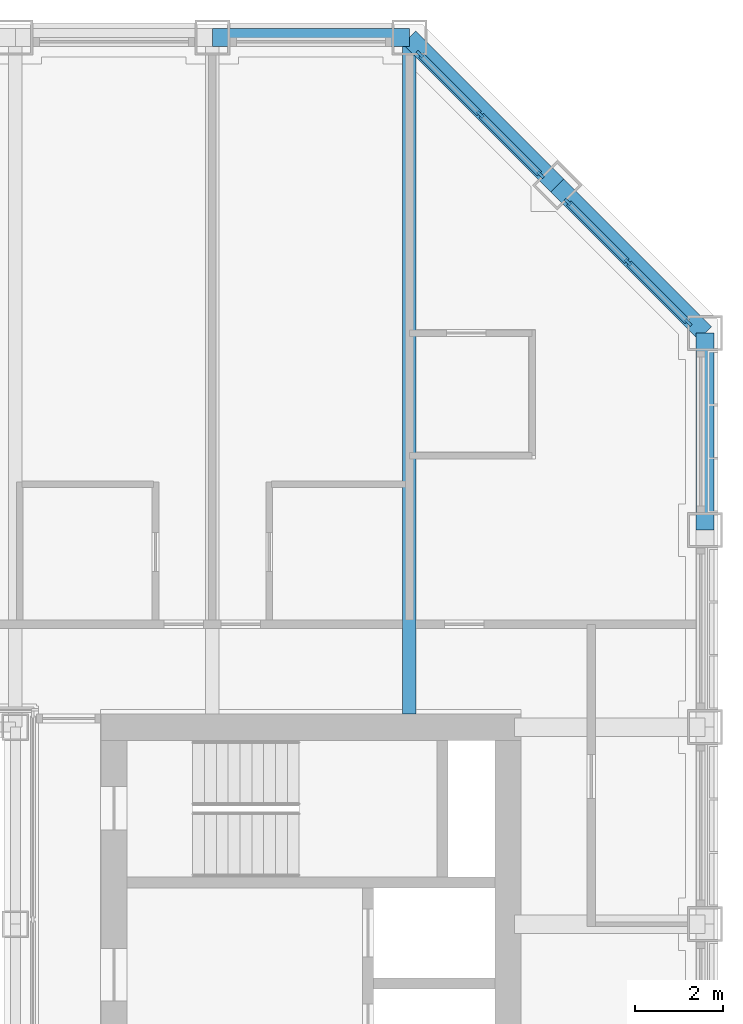
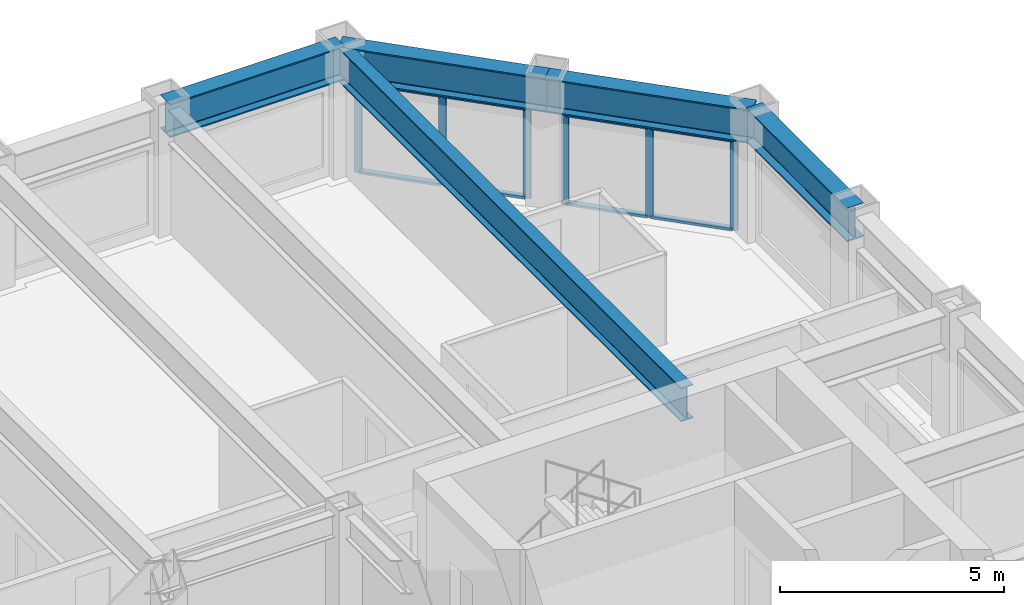
# One storey, part 8 of 17: 14 members, 5 beams, 2 elements without a shape of their own.
"""IFC4 building model written with IfcOpenShell, lengths in metres."""

from ifc_helpers import new_model, si_unit, direction, frame, origin, origin_2d, place, context, subcontext, project, spatial, rectangle, i_section, extrude, material, material_profile, profile_set, type_object, element, aggregate, save


model = new_model("IFC4")

# Units and contexts
model_context = context("Model", 3, precision=1e-05, world=origin(), true_north=direction((0.0, 1.0)))
body_context = subcontext(model_context, "Body", "Model", "MODEL_VIEW")
ifc_project = project(units=[si_unit("LENGTHUNIT", "METRE"), si_unit("AREAUNIT", "SQUARE_METRE"), si_unit("VOLUMEUNIT", "CUBIC_METRE"), si_unit("PLANEANGLEUNIT", "RADIAN"), si_unit("MASSUNIT", "GRAM", prefix="KILO")], contexts=[model_context])

# Site, building, storey
site_placement = place(None, origin())
site = spatial("IfcSite", under=ifc_project, at=site_placement, CompositionType="ELEMENT")
building_placement = place(site_placement, origin())
building = spatial("IfcBuilding", under=site, at=building_placement, Name="Msasa Ring Tower", CompositionType="ELEMENT")
storey_placement = place(building_placement, frame((0.0, 0.0, 154.39990234375)))
storey = spatial("IfcBuildingStorey", under=building, at=storey_placement, Name="L40", CompositionType="ELEMENT", Elevation=154.39990234375)

# Curtain wall, members
ifc_material_1 = material(Name="Aluminium curtain wall with clear glass", Category="aluminium")
curtain_wall_type = type_object("IfcCurtainWallType", Name="CW-C CHAMFER CORNER CURTAIN WALL", PredefinedType="NOTDEFINED", material=ifc_material_1)
curtain_wall_1_placement = place(storey_placement, origin())
curtain_wall_1 = element("IfcCurtainWall", 1, at=curtain_wall_1_placement, inside=storey, type_object=curtain_wall_type, Name="Chamfer corner curtain wall NE L40", PredefinedType="NOTDEFINED")
ifc_material_2 = material(Name="Aluminium mullion", Category="aluminium")
ifc_material_profile_1 = material_profile(ifc_material_2, rectangle(XDim=0.06494140625, YDim=0.179931640625, at=origin_2d()), Name="AL 65x180")
ifc_profile_set_1 = profile_set([ifc_material_profile_1], Name="Aluminium mullion")
member_type_1 = type_object("IfcMemberType", Name="CW-C MULLION 65x180", PredefinedType="MULLION", material=ifc_profile_set_1)
member_1_placement = place(storey_placement, frame((18.744873046875, 19.36376953125, 0.0), z_axis=(0.0, 0.0, 1.0), x_axis=(-0.707106781187, -0.707106781187, 0.0)))
member_1 = element("IfcMember", 2, at=member_1_placement, type_object=member_type_1, Name="CW-C mullion 1", PredefinedType="MULLION", context=body_context, shape_type="SweptSolid", body=[
    extrude(rectangle(XDim=0.06494140625, YDim=0.179931640625, at=origin_2d()), origin(), (0.0, 0.0, 1.0), 2.47900390625),
])
member_2_placement = place(storey_placement, frame((17.36669921875, 20.74169921875, 0.0), z_axis=(0.0, 0.0, 1.0), x_axis=(-0.707106781187, -0.707106781187, 0.0)))
member_2 = element("IfcMember", 3, at=member_2_placement, type_object=member_type_1, Name="CW-C mullion 2", PredefinedType="MULLION", context=body_context, shape_type="SweptSolid", body=[
    extrude(rectangle(XDim=0.06494140625, YDim=0.179931640625, at=origin_2d()), origin(), (0.0, 0.0, 1.0), 2.47900390625),
])
member_3_placement = place(storey_placement, frame((15.98876953125, 22.119873046875, 0.0), z_axis=(0.0, 0.0, 1.0), x_axis=(-0.707106781187, -0.707106781187, 0.0)))
member_3 = element("IfcMember", 4, at=member_3_placement, type_object=member_type_1, Name="CW-C mullion 3", PredefinedType="MULLION", context=body_context, shape_type="SweptSolid", body=[
    extrude(rectangle(XDim=0.06494140625, YDim=0.179931640625, at=origin_2d()), origin(), (0.0, 0.0, 1.0), 2.47900390625),
])

curtain_wall_2_placement = place(storey_placement, origin())
curtain_wall_2 = element("IfcCurtainWall", 5, at=curtain_wall_2_placement, inside=storey, type_object=curtain_wall_type, Name="Chamfer corner curtain wall NE L40", PredefinedType="NOTDEFINED")
member_4_placement = place(storey_placement, frame((22.119873046875, 15.98876953125, 0.0), z_axis=(0.0, 0.0, 1.0), x_axis=(-0.707106781187, -0.707106781187, 0.0)))
member_4 = element("IfcMember", 6, at=member_4_placement, type_object=member_type_1, Name="CW-C mullion 1", PredefinedType="MULLION", context=body_context, shape_type="SweptSolid", body=[
    extrude(rectangle(XDim=0.06494140625, YDim=0.179931640625, at=origin_2d()), origin(), (0.0, 0.0, 1.0), 2.47900390625),
])
member_5_placement = place(storey_placement, frame((20.74169921875, 17.36669921875, 0.0), z_axis=(0.0, 0.0, 1.0), x_axis=(-0.707106781187, -0.707106781187, 0.0)))
member_5 = element("IfcMember", 7, at=member_5_placement, type_object=member_type_1, Name="CW-C mullion 2", PredefinedType="MULLION", context=body_context, shape_type="SweptSolid", body=[
    extrude(rectangle(XDim=0.06494140625, YDim=0.179931640625, at=origin_2d()), origin(), (0.0, 0.0, 1.0), 2.47900390625),
])
member_6_placement = place(storey_placement, frame((19.36376953125, 18.744873046875, 0.0), z_axis=(0.0, 0.0, 1.0), x_axis=(-0.707106781187, -0.707106781187, 0.0)))
member_6 = element("IfcMember", 8, at=member_6_placement, type_object=member_type_1, Name="CW-C mullion 3", PredefinedType="MULLION", context=body_context, shape_type="SweptSolid", body=[
    extrude(rectangle(XDim=0.06494140625, YDim=0.179931640625, at=origin_2d()), origin(), (0.0, 0.0, 1.0), 2.47900390625),
])

# Member
ifc_material_3 = material(Name="Aluminium transom", Category="aluminium")
ifc_material_profile_2 = material_profile(ifc_material_3, rectangle(XDim=0.139892578125, YDim=0.06494140625, at=origin_2d()), Name="AL 65x140")
ifc_profile_set_2 = profile_set([ifc_material_profile_2], Name="Aluminium transom")
member_type_2 = type_object("IfcMemberType", Name="CW-C TRANSOM 65x140", PredefinedType="USERDEFINED", material=ifc_profile_set_2)
member_7_placement = place(storey_placement, frame((18.721923828125, 19.38671875, 0.03271484375), z_axis=(-0.707106781187, 0.707106781187, 0.0), x_axis=(-0.707106781187, -0.707106781187, 0.0)))
member_7 = element("IfcMember", 9, at=member_7_placement, type_object=member_type_2, Name="CW-C transom 1.1", ObjectType="TRANSOM", PredefinedType="USERDEFINED", context=body_context, shape_type="SweptSolid", body=[
    extrude(rectangle(XDim=0.139892578125, YDim=0.06494140625, at=origin_2d()), origin(), (0.0, 0.0, 1.0), 1.8837890625),
])

member_8_placement = place(storey_placement, frame((18.721923828125, 19.38671875, 2.446533203125), z_axis=(-0.707106781187, 0.707106781187, 0.0), x_axis=(-0.707106781187, -0.707106781187, 0.0)))
member_8 = element("IfcMember", 10, at=member_8_placement, type_object=member_type_2, Name="CW-C transom 1.2", ObjectType="TRANSOM", PredefinedType="USERDEFINED", context=body_context, shape_type="SweptSolid", body=[
    extrude(rectangle(XDim=0.139892578125, YDim=0.06494140625, at=origin_2d()), origin(), (0.0, 0.0, 1.0), 1.8837890625),
])

member_9_placement = place(storey_placement, frame((17.34375, 20.764892578125, 0.03271484375), z_axis=(-0.707106781187, 0.707106781187, 0.0), x_axis=(-0.707106781187, -0.707106781187, 0.0)))
member_9 = element("IfcMember", 11, at=member_9_placement, type_object=member_type_2, Name="CW-C transom 2.1", ObjectType="TRANSOM", PredefinedType="USERDEFINED", context=body_context, shape_type="SweptSolid", body=[
    extrude(rectangle(XDim=0.139892578125, YDim=0.06494140625, at=origin_2d()), origin(), (0.0, 0.0, 1.0), 1.8837890625),
])

member_10_placement = place(storey_placement, frame((17.34375, 20.764892578125, 2.446533203125), z_axis=(-0.707106781187, 0.707106781187, 0.0), x_axis=(-0.707106781187, -0.707106781187, 0.0)))
member_10 = element("IfcMember", 12, at=member_10_placement, type_object=member_type_2, Name="CW-C transom 2.2", ObjectType="TRANSOM", PredefinedType="USERDEFINED", context=body_context, shape_type="SweptSolid", body=[
    extrude(rectangle(XDim=0.139892578125, YDim=0.06494140625, at=origin_2d()), origin(), (0.0, 0.0, 1.0), 1.8837890625),
])

aggregate(curtain_wall_1, [member_1, member_2, member_3, member_7, member_8, member_9, member_10])

member_11_placement = place(storey_placement, frame((22.096923828125, 16.01171875, 0.03271484375), z_axis=(-0.707106781187, 0.707106781187, 0.0), x_axis=(-0.707106781187, -0.707106781187, 0.0)))
member_11 = element("IfcMember", 13, at=member_11_placement, type_object=member_type_2, Name="CW-C transom 1.1", ObjectType="TRANSOM", PredefinedType="USERDEFINED", context=body_context, shape_type="SweptSolid", body=[
    extrude(rectangle(XDim=0.139892578125, YDim=0.06494140625, at=origin_2d()), origin(), (0.0, 0.0, 1.0), 1.8837890625),
])

member_12_placement = place(storey_placement, frame((22.096923828125, 16.01171875, 2.446533203125), z_axis=(-0.707106781187, 0.707106781187, 0.0), x_axis=(-0.707106781187, -0.707106781187, 0.0)))
member_12 = element("IfcMember", 14, at=member_12_placement, type_object=member_type_2, Name="CW-C transom 1.2", ObjectType="TRANSOM", PredefinedType="USERDEFINED", context=body_context, shape_type="SweptSolid", body=[
    extrude(rectangle(XDim=0.139892578125, YDim=0.06494140625, at=origin_2d()), origin(), (0.0, 0.0, 1.0), 1.8837890625),
])

member_13_placement = place(storey_placement, frame((20.71875, 17.389892578125, 0.03271484375), z_axis=(-0.707106781187, 0.707106781187, 0.0), x_axis=(-0.707106781187, -0.707106781187, 0.0)))
member_13 = element("IfcMember", 15, at=member_13_placement, type_object=member_type_2, Name="CW-C transom 2.1", ObjectType="TRANSOM", PredefinedType="USERDEFINED", context=body_context, shape_type="SweptSolid", body=[
    extrude(rectangle(XDim=0.139892578125, YDim=0.06494140625, at=origin_2d()), origin(), (0.0, 0.0, 1.0), 1.8837890625),
])

member_14_placement = place(storey_placement, frame((20.71875, 17.389892578125, 2.446533203125), z_axis=(-0.707106781187, 0.707106781187, 0.0), x_axis=(-0.707106781187, -0.707106781187, 0.0)))
member_14 = element("IfcMember", 16, at=member_14_placement, type_object=member_type_2, Name="CW-C transom 2.2", ObjectType="TRANSOM", PredefinedType="USERDEFINED", context=body_context, shape_type="SweptSolid", body=[
    extrude(rectangle(XDim=0.139892578125, YDim=0.06494140625, at=origin_2d()), origin(), (0.0, 0.0, 1.0), 1.8837890625),
])

aggregate(curtain_wall_2, [member_4, member_5, member_6, member_11, member_12, member_13, member_14])

# Beams
ifc_material_4 = material(Name="Steel S355", Category="steel")
ifc_material_profile_3 = material_profile(ifc_material_4, i_section(OverallWidth=0.3076171875, OverallDepth=0.926513671875, WebThickness=0.01953125, FlangeThickness=0.031982421875, FilletRadius=0.01904296875, at=origin_2d()), Name="UB 914x305x289")
ifc_profile_set_3 = profile_set([ifc_material_profile_3], Name="Steel S355")
beam_type_1 = type_object("IfcBeamType", Name="FB3 UB 914x305x289", PredefinedType="BEAM", material=ifc_profile_set_3)
beam_1_placement = place(storey_placement, frame((15.75, 22.5, 2.936767578125), z_axis=(0.0, -1.0, 0.0), x_axis=(1.0, 0.0, 0.0)))
element("IfcBeam", 17, at=beam_1_placement, inside=storey, type_object=beam_type_1, Name="Floor beam N+15.75 under L41", PredefinedType="BEAM", context=body_context, shape_type="SweptSolid", body=[
    extrude(i_section(OverallWidth=0.3076171875, OverallDepth=0.926513671875, WebThickness=0.01953125, FlangeThickness=0.031982421875, FilletRadius=0.01904296875, at=origin_2d()), origin(), (0.0, 0.0, 1.0), 15.449951171875),
])
ifc_material_5 = material(Name="Steel S355", Category="steel")
ifc_material_profile_4 = material_profile(ifc_material_5, i_section(OverallWidth=0.42041015625, OverallDepth=0.9208984375, WebThickness=0.021484375, FlangeThickness=0.03662109375, FilletRadius=0.024169921875, at=origin_2d()), Name="UB 914x419x388")
ifc_profile_set_4 = profile_set([ifc_material_profile_4], Name="Steel S355")
beam_type_2 = type_object("IfcBeamType", Name="SB1 UB 914x419x388", PredefinedType="SPANDREL", material=ifc_profile_set_4)
beam_2_placement = place(storey_placement, frame((22.5, 11.25, 2.939697265625), z_axis=(0.0, 1.0, 0.0), x_axis=(-1.0, 0.0, 0.0)))
element("IfcBeam", 18, at=beam_2_placement, inside=storey, type_object=beam_type_2, Name="Spandrel E+11.25 to E+15.75 under L41", PredefinedType="SPANDREL", context=body_context, shape_type="SweptSolid", body=[
    extrude(i_section(OverallWidth=0.42041015625, OverallDepth=0.9208984375, WebThickness=0.021484375, FlangeThickness=0.03662109375, FilletRadius=0.024169921875, at=origin_2d()), origin(), (0.0, 0.0, 1.0), 4.5),
])
for number, where, z_axis, x_axis, name in (
    (19, (22.5, 15.75, 2.939697265625), (-0.707106781187, 0.707106781187, 0.0), (-0.707106781187, -0.707106781187, 0.0), "Spandrel E+15.75 to NE under L41"),
    (20, (19.125, 19.125, 2.939697265625), (-0.707106781187, 0.707106781187, 0.0), (-0.707106781187, -0.707106781187, 0.0), "Spandrel NE to N+15.75 under L41"),
):
    element("IfcBeam", number, at=place(storey_placement, frame(where, z_axis=z_axis, x_axis=x_axis)), inside=storey, type_object=beam_type_2, Name=name, PredefinedType="SPANDREL", context=body_context, shape_type="SweptSolid", body=[
        extrude(i_section(OverallWidth=0.42041015625, OverallDepth=0.9208984375, WebThickness=0.021484375, FlangeThickness=0.03662109375, FilletRadius=0.024169921875, at=origin_2d()), origin(), (0.0, 0.0, 1.0), 4.77294921875),
    ])
beam_3_placement = place(storey_placement, frame((15.75, 22.5, 2.939697265625), z_axis=(-1.0, 0.0, 0.0), x_axis=(0.0, -1.0, 0.0)))
element("IfcBeam", 21, at=beam_3_placement, inside=storey, type_object=beam_type_2, Name="Spandrel N+15.75 to N+11.25 under L41", PredefinedType="SPANDREL", context=body_context, shape_type="SweptSolid", body=[
    extrude(i_section(OverallWidth=0.42041015625, OverallDepth=0.9208984375, WebThickness=0.021484375, FlangeThickness=0.03662109375, FilletRadius=0.024169921875, at=origin_2d()), origin(), (0.0, 0.0, 1.0), 4.5),
])

save(model, "model.ifc")
